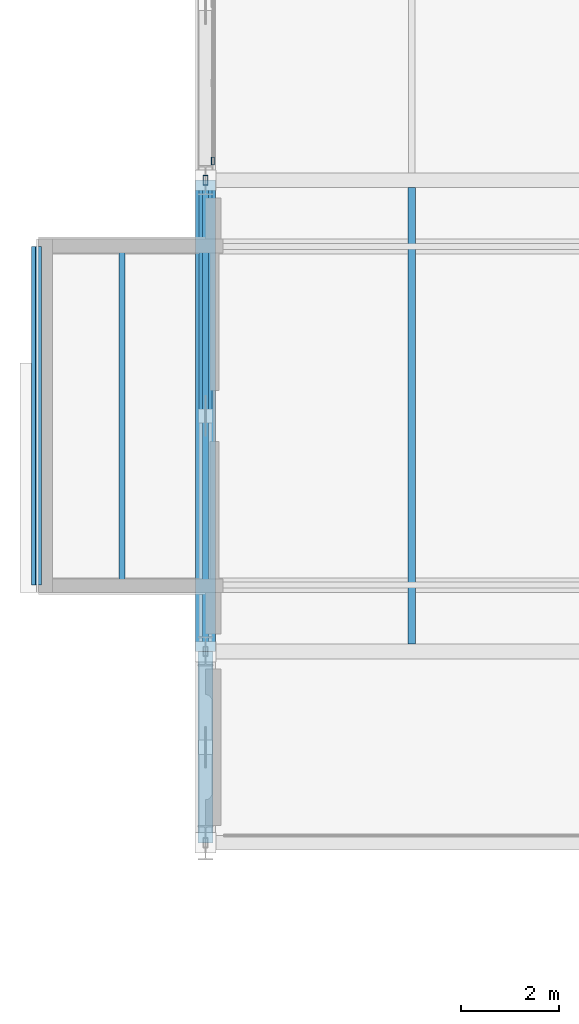
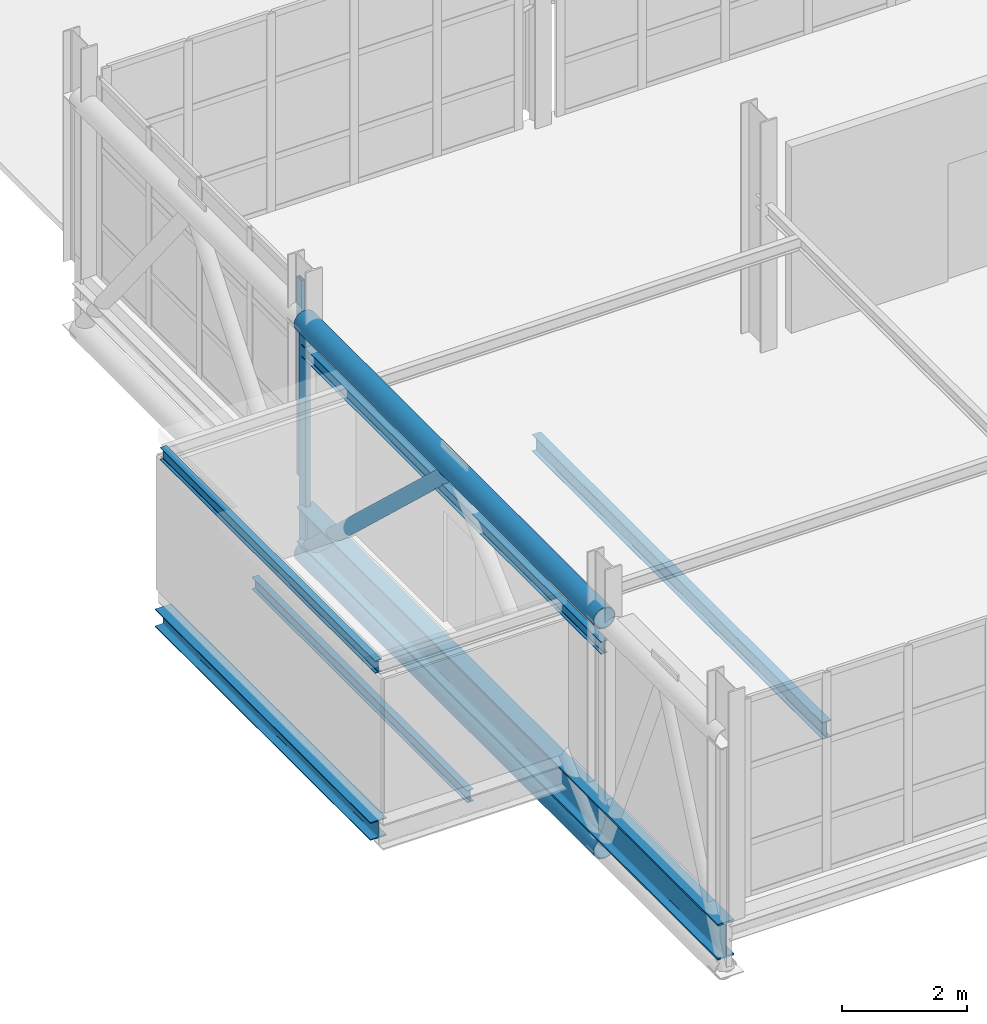
# One storey, part 16 of 130: 6 beams, 5 members, 1 element without a shape of its own.
"""IFC4 building model written with IfcOpenShell, lengths in metres."""

from ifc_helpers import new_model, si_unit, direction, frame, origin, origin_2d, place, context, subcontext, project, spatial, hollow_rectangle, hollow_circle, i_section, extrude, material, material_profile, profile_set, type_object, element, aggregate, save


model = new_model("IFC4")

# Units and contexts
model_context = context("Model", 3, precision=1e-05, world=origin(), true_north=direction((0.0, 1.0)))
body_context = subcontext(model_context, "Body", "Model", "MODEL_VIEW")
ifc_project = project(units=[si_unit("LENGTHUNIT", "METRE"), si_unit("AREAUNIT", "SQUARE_METRE"), si_unit("VOLUMEUNIT", "CUBIC_METRE"), si_unit("PLANEANGLEUNIT", "RADIAN"), si_unit("MASSUNIT", "GRAM", prefix="KILO")], contexts=[model_context])

# Site, building, storey
site_placement = place(None, origin())
site = spatial("IfcSite", under=ifc_project, at=site_placement, CompositionType="ELEMENT")
building_placement = place(site_placement, origin())
building = spatial("IfcBuilding", under=site, at=building_placement, Name="Veltarok Museum of Natural Sciences", CompositionType="ELEMENT")
storey_placement = place(building_placement, frame((0.0, 0.0, 12.89990234375)))
storey = spatial("IfcBuildingStorey", under=building, at=storey_placement, Name="L02", CompositionType="ELEMENT", Elevation=12.89990234375)

# Beams
ifc_material_1 = material(Name="Steel S355J2", Category="steel")
ifc_material_profile_1 = material_profile(ifc_material_1, i_section(OverallWidth=0.1201171875, OverallDepth=0.239990234375, WebThickness=0.006103515625, FlangeThickness=0.009765625, FilletRadius=0.014892578125, at=origin_2d()), Name="IPE 240")
ifc_profile_set_1 = profile_set([ifc_material_profile_1], Name="Steel S355J2")
beam_type_1 = type_object("IfcBeamType", Name="Cabinet Box Secondary Joist IPE 240", PredefinedType="JOIST", material=ifc_profile_set_1)
beam_1_placement = place(storey_placement, frame((6.39990234375, 9.60009765625, 2.760009765625), z_axis=(0.0, 1.0, 0.0), x_axis=(-1.0, 0.0, 0.0)))
element("IfcBeam", 1, at=beam_1_placement, inside=storey, type_object=beam_type_1, Name="Cabinet Roof Tie Beam DB-32-P", PredefinedType="JOIST", context=body_context, shape_type="SweptSolid", body=[
    extrude(i_section(OverallWidth=0.1201171875, OverallDepth=0.239990234375, WebThickness=0.006103515625, FlangeThickness=0.009765625, FilletRadius=0.014892578125, at=origin_2d()), origin(), (0.0, 0.0, 1.0), 9.599853515625),
])
for number, where, z_axis, x_axis, name in (
    (2, (3.0, 10.949951171875, 2.760009765625), (0.0, 1.0, 0.0), (-1.0, 0.0, 0.0), "Cabinet Roof Tip Header DB-32"),
    (3, (4.699951171875, 10.949951171875, -0.369873046875), (0.0, 1.0, 0.0), (-1.0, 0.0, 0.0), "Cabinet Box Joist DB-32"),
):
    element("IfcBeam", number, at=place(storey_placement, frame(where, z_axis=z_axis, x_axis=x_axis)), inside=storey, type_object=beam_type_1, Name=name, PredefinedType="JOIST", context=body_context, shape_type="SweptSolid", body=[
        extrude(i_section(OverallWidth=0.1201171875, OverallDepth=0.239990234375, WebThickness=0.006103515625, FlangeThickness=0.009765625, FilletRadius=0.014892578125, at=origin_2d()), origin(), (0.0, 0.0, 1.0), 6.900146484375),
    ])
ifc_material_profile_2 = material_profile(ifc_material_1, i_section(OverallWidth=0.300048828125, OverallDepth=0.35009765625, WebThickness=0.010009765625, FlangeThickness=0.017578125, FilletRadius=0.027099609375, at=origin_2d()), Name="HEA 360")
ifc_profile_set_2 = profile_set([ifc_material_profile_2], Name="Steel S355J2")
beam_type_2 = type_object("IfcBeamType", Name="Cabinet Box Tip Header HEA 360", PredefinedType="BEAM", material=ifc_profile_set_2)
beam_2_placement = place(storey_placement, frame((3.0, 10.949951171875, -0.4248046875), z_axis=(0.0, 1.0, 0.0), x_axis=(-1.0, 0.0, 0.0)))
element("IfcBeam", 4, at=beam_2_placement, inside=storey, type_object=beam_type_2, Name="Cabinet Tip Header DB-32", PredefinedType="BEAM", context=body_context, shape_type="SweptSolid", body=[
    extrude(i_section(OverallWidth=0.300048828125, OverallDepth=0.35009765625, WebThickness=0.010009765625, FlangeThickness=0.017578125, FilletRadius=0.027099609375, at=origin_2d()), origin(), (0.0, 0.0, 1.0), 6.900146484375),
])

# Curtain wall, member
ifc_material_2 = material(Name="Low-iron triple insulated glass", Category="glass")
curtain_wall_type = type_object("IfcCurtainWallType", Name="Curtain Wall System CW-BRG-W-L02-CD-648x388 (Bridge West Forecourt L02 C-D 648x388cm)", PredefinedType="NOTDEFINED", material=ifc_material_2)
curtain_wall_placement = place(storey_placement, origin())
curtain_wall = element("IfcCurtainWall", 5, at=curtain_wall_placement, inside=storey, type_object=curtain_wall_type, Name="Curtain Wall CW-BRG-W-L02-CD-648x388 CW-0036", PredefinedType="NOTDEFINED")
ifc_material_3 = material(Name="Thermally broken anodised aluminium", Category="aluminium")
ifc_material_profile_3 = material_profile(ifc_material_3, hollow_rectangle(XDim=0.06005859375, YDim=0.159912109375, WallThickness=0.0048828125, at=origin_2d()), Name="CW MULLION 60x160x5")
ifc_profile_set_3 = profile_set([ifc_material_profile_3], Name="Thermally broken anodised aluminium")
member_type_1 = type_object("IfcMemberType", Name="Curtain Wall Vertical Mullion 60x160x5", PredefinedType="MULLION", material=ifc_profile_set_3)
member_1_placement = place(storey_placement, frame((6.550048828125, 19.590087890625, 0.0), z_axis=(0.0, 0.0, 1.0), x_axis=(1.0, 0.0, 0.0)))
member_1 = element("IfcMember", 6, at=member_1_placement, type_object=member_type_1, Name="CW-BRG-W-L02-CD-648x388 mullion 5", PredefinedType="MULLION", context=body_context, shape_type="SweptSolid", body=[
    extrude(hollow_rectangle(XDim=0.06005859375, YDim=0.159912109375, WallThickness=0.0048828125, at=origin_2d()), origin(), (0.0, 0.0, 1.0), 3.880126953125),
])
aggregate(curtain_wall, [member_1])

# Beams
ifc_material_profile_4 = material_profile(ifc_material_1, i_section(OverallWidth=0.300048828125, OverallDepth=0.699951171875, WebThickness=0.01708984375, FlangeThickness=0.031982421875, FilletRadius=0.027099609375, at=origin_2d()), Name="HEB 700")
ifc_profile_set_4 = profile_set([ifc_material_profile_4], Name="Steel S355J2")
beam_type_3 = type_object("IfcBeamType", Name="Long-Span Hall Girder HEB 700", PredefinedType="BEAM", material=ifc_profile_set_4)
beam_3_placement = place(storey_placement, frame((6.39990234375, 5.699951171875, -0.599853515625), z_axis=(0.0, 1.0, 0.0), x_axis=(-1.0, 0.0, 0.0)))
element("IfcBeam", 7, at=beam_3_placement, inside=storey, type_object=beam_type_3, Name="Bridge Cantilever Girder L02 1", PredefinedType="BEAM", context=body_context, shape_type="SweptSolid", body=[
    extrude(i_section(OverallWidth=0.300048828125, OverallDepth=0.699951171875, WebThickness=0.01708984375, FlangeThickness=0.031982421875, FilletRadius=0.027099609375, at=origin_2d()), origin(), (0.0, 0.0, 1.0), 13.5),
])
ifc_material_profile_5 = material_profile(ifc_material_1, i_section(OverallWidth=0.159912109375, OverallDepth=0.330078125, WebThickness=0.007568359375, FlangeThickness=0.011474609375, FilletRadius=0.01806640625, at=origin_2d()), Name="IPE 330")
ifc_profile_set_5 = profile_set([ifc_material_profile_5], Name="Steel S355J2")
beam_type_4 = type_object("IfcBeamType", Name="Medium-Bay Composite Joist IPE 330", PredefinedType="JOIST", material=ifc_profile_set_5)
beam_4_placement = place(storey_placement, frame((10.60009765625, 9.748046875, -0.414794921875), z_axis=(0.0, 1.0, 0.0), x_axis=(-1.0, 0.0, 0.0)))
element("IfcBeam", 8, at=beam_4_placement, inside=storey, type_object=beam_type_4, Name="Secondary Joist BM-J02 L02 1-2/B-C.1", PredefinedType="JOIST", context=body_context, shape_type="SweptSolid", body=[
    extrude(i_section(OverallWidth=0.159912109375, OverallDepth=0.330078125, WebThickness=0.007568359375, FlangeThickness=0.011474609375, FilletRadius=0.01806640625, at=origin_2d()), origin(), (0.0, 0.0, 1.0), 9.303955078125),
])

# Members
ifc_material_4 = material(Name="Oxide-red painted Steel S355J2", Category="steel")
ifc_material_profile_6 = material_profile(ifc_material_4, hollow_rectangle(XDim=0.10009765625, YDim=0.199951171875, WallThickness=0.008056640625, at=origin_2d()), Name="RHS 200x100x8")
ifc_profile_set_6 = profile_set([ifc_material_profile_6], Name="Oxide-red painted Steel S355J2")
member_type_2 = type_object("IfcMemberType", Name="Monitor and Transfer Vertical Post RHS 200x100x8", PredefinedType="STRUT", material=ifc_profile_set_6)
member_2_placement = place(storey_placement, frame((6.39990234375, 19.199951171875, -1.169921875), z_axis=(0.0, 0.0, 1.0), x_axis=(1.0, 0.0, 0.0)))
element("IfcMember", 9, at=member_2_placement, inside=storey, type_object=member_type_2, Name="Transfer Truss Post 1 Y=19.2", PredefinedType="STRUT", context=body_context, shape_type="SweptSolid", body=[
    extrude(hollow_rectangle(XDim=0.10009765625, YDim=0.199951171875, WallThickness=0.008056640625, at=origin_2d()), origin(), (0.0, 0.0, 1.0), 4.5),
])
ifc_material_profile_7 = material_profile(ifc_material_4, hollow_circle(Radius=0.203125, WallThickness=0.01611328125, at=origin_2d()), Name="CHS 406.4x16")
ifc_profile_set_7 = profile_set([ifc_material_profile_7], Name="Oxide-red painted Steel S355J2")
member_type_3 = type_object("IfcMemberType", Name="Transfer Truss Chord CHS 406.4x16", PredefinedType="CHORD", material=ifc_profile_set_7)
for number, where, z_axis, x_axis, name in (
    (10, (6.39990234375, 9.60009765625, -1.169921875), (0.0, 1.0, 0.0), (-1.0, 0.0, 0.0), "Transfer Truss BC 1 2"),
    (11, (6.39990234375, 9.60009765625, 3.330078125), (0.0, 1.0, 0.0), (-1.0, 0.0, 0.0), "Transfer Truss TC 1 2"),
):
    element("IfcMember", number, at=place(storey_placement, frame(where, z_axis=z_axis, x_axis=x_axis)), inside=storey, type_object=member_type_3, Name=name, PredefinedType="CHORD", context=body_context, shape_type="SweptSolid", body=[
        extrude(hollow_circle(Radius=0.203125, WallThickness=0.01611328125, at=origin_2d()), origin(), (0.0, 0.0, 1.0), 9.599853515625),
    ])
ifc_material_profile_8 = material_profile(ifc_material_4, hollow_circle(Radius=0.136474609375, WallThickness=0.012451171875, at=origin_2d()), Name="CHS 273x12.5")
ifc_profile_set_8 = profile_set([ifc_material_profile_8], Name="Oxide-red painted Steel S355J2")
member_type_4 = type_object("IfcMemberType", Name="Transfer Truss Web Diagonal CHS 273x12.5", PredefinedType="BRACE", material=ifc_profile_set_8)
member_3_placement = place(storey_placement, frame((6.39990234375, 14.39990234375, 3.330078125), z_axis=(0.0, 0.729540675584, -0.683937425989), x_axis=(-1.0, 0.0, 0.0)))
element("IfcMember", 12, at=member_3_placement, inside=storey, type_object=member_type_4, Name="Transfer Truss Diagonal 1 8", PredefinedType="BRACE", context=body_context, shape_type="SweptSolid", body=[
    extrude(hollow_circle(Radius=0.136474609375, WallThickness=0.012451171875, at=origin_2d()), origin(), (0.0, 0.0, 1.0), 6.57958984375),
])

save(model, "model.ifc")
